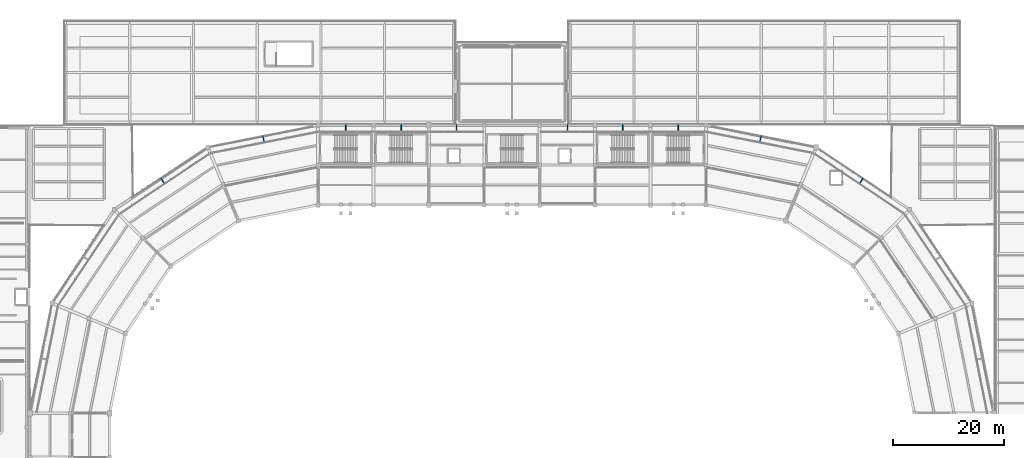
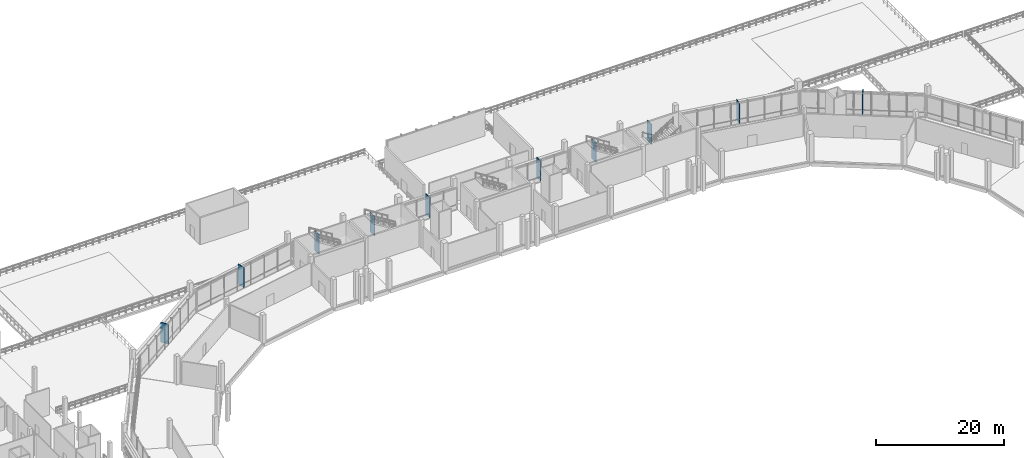
# One storey, part 86 of 111: 10 discrete accessories.
"""IFC4 building model written with IfcOpenShell, lengths in metres."""

from ifc_helpers import new_model, si_unit, direction, frame, origin, origin_2d, place, context, subcontext, project, spatial, rectangle, extrude, material, type_object, element, save


model = new_model("IFC4")

# Units and contexts
model_context = context("Model", 3, precision=1e-05, world=origin(), true_north=direction((0.0, 1.0)))
body_context = subcontext(model_context, "Body", "Model", "MODEL_VIEW")
ifc_project = project(units=[si_unit("LENGTHUNIT", "METRE"), si_unit("AREAUNIT", "SQUARE_METRE"), si_unit("VOLUMEUNIT", "CUBIC_METRE"), si_unit("PLANEANGLEUNIT", "RADIAN"), si_unit("MASSUNIT", "GRAM", prefix="KILO")], contexts=[model_context])

# Site, building, storey
site_placement = place(None, origin())
site = spatial("IfcSite", under=ifc_project, at=site_placement, CompositionType="ELEMENT")
building_placement = place(site_placement, origin())
building = spatial("IfcBuilding", under=site, at=building_placement, Name="Candeia Ridge Stadium", CompositionType="ELEMENT")
storey_placement = place(building_placement, frame((0.0, 0.0, 16.199951171875)))
storey = spatial("IfcBuildingStorey", under=building, at=storey_placement, Name="L03", CompositionType="ELEMENT", Elevation=16.199951171875)

# Discrete accessories
ifc_material = material(Name="Steel ASTM A572 Grade 50", Category="steel")
discrete_accessory_type = type_object("IfcDiscreteAccessoryType", Name="Solar Rib Outrigger Bracket BRK1", PredefinedType="BRACKET", material=ifc_material)
discrete_accessory_1_placement = place(storey_placement, frame((136.0, 146.39990234375, 0.2001953125), z_axis=(0.0, 0.0, 1.0), x_axis=(0.0, 1.0, 0.0)))
element("IfcDiscreteAccessory", 1, at=discrete_accessory_1_placement, inside=storey, type_object=discrete_accessory_type, Name="Solar rib steel outrigger bracket L03 bay 01", PredefinedType="BRACKET", context=body_context, shape_type="SweptSolid", body=[
    extrude(rectangle(XDim=1.35009765625, YDim=0.1201171875, at=origin_2d()), origin(), (0.0, 0.0, 1.0), 3.804931640625),
])
discrete_accessory_2_placement = place(storey_placement, frame((126.0, 146.39990234375, 0.2001953125), z_axis=(0.0, 0.0, 1.0), x_axis=(0.0, 1.0, 0.0)))
element("IfcDiscreteAccessory", 2, at=discrete_accessory_2_placement, inside=storey, type_object=discrete_accessory_type, Name="Solar rib steel outrigger bracket L03 bay 02", PredefinedType="BRACKET", context=body_context, shape_type="SweptSolid", body=[
    extrude(rectangle(XDim=1.35009765625, YDim=0.1201171875, at=origin_2d()), origin(), (0.0, 0.0, 1.0), 3.844970703125),
])
discrete_accessory_3_placement = place(storey_placement, frame((116.0, 146.39990234375, 0.2001953125), z_axis=(0.0, 0.0, 1.0), x_axis=(0.0, 1.0, 0.0)))
element("IfcDiscreteAccessory", 3, at=discrete_accessory_3_placement, inside=storey, type_object=discrete_accessory_type, Name="Solar rib steel outrigger bracket L03 bay 03", PredefinedType="BRACKET", context=body_context, shape_type="SweptSolid", body=[
    extrude(rectangle(XDim=1.35009765625, YDim=0.1201171875, at=origin_2d()), origin(), (0.0, 0.0, 1.0), 3.804931640625),
])
discrete_accessory_4_placement = place(storey_placement, frame((96.0, 146.39990234375, 0.2001953125), z_axis=(0.0, 0.0, 1.0), x_axis=(0.0, 1.0, 0.0)))
element("IfcDiscreteAccessory", 4, at=discrete_accessory_4_placement, inside=storey, type_object=discrete_accessory_type, Name="Solar rib steel outrigger bracket L03 bay 05", PredefinedType="BRACKET", context=body_context, shape_type="SweptSolid", body=[
    extrude(rectangle(XDim=1.35009765625, YDim=0.1201171875, at=origin_2d()), origin(), (0.0, 0.0, 1.0), 3.844970703125),
])
for number, where, z_axis, x_axis, name in (
    (5, (86.0, 146.39990234375, 0.2001953125), (0.0, 0.0, 1.0), (0.0, 1.0, 0.0), "Solar rib steel outrigger bracket L03 bay 06"),
    (6, (76.0, 146.39990234375, 0.2001953125), (0.0, 0.0, 1.0), (0.0, 1.0, 0.0), "Solar rib steel outrigger bracket L03 bay 07"),
):
    element("IfcDiscreteAccessory", number, at=place(storey_placement, frame(where, z_axis=z_axis, x_axis=x_axis)), inside=storey, type_object=discrete_accessory_type, Name=name, PredefinedType="BRACKET", context=body_context, shape_type="SweptSolid", body=[
        extrude(rectangle(XDim=1.35009765625, YDim=0.1201171875, at=origin_2d()), origin(), (0.0, 0.0, 1.0), 3.804931640625),
    ])
discrete_accessory_5_placement = place(storey_placement, frame((61.1650390625, 144.443603515625, 0.2001953125), z_axis=(0.0, 0.0, 1.0), x_axis=(-0.19509022785, 0.980785299134, 0.0)))
element("IfcDiscreteAccessory", 7, at=discrete_accessory_5_placement, inside=storey, type_object=discrete_accessory_type, Name="Solar rib steel outrigger bracket L03 bay 08", PredefinedType="BRACKET", context=body_context, shape_type="SweptSolid", body=[
    extrude(rectangle(XDim=1.35009765625, YDim=0.1201171875, at=origin_2d()), origin(), (0.0, 0.0, 1.0), 3.844970703125),
])
discrete_accessory_6_placement = place(storey_placement, frame((42.992431640625, 136.916259765625, 0.2001953125), z_axis=(0.0, 0.0, 1.0), x_axis=(-0.555570172084, 0.831469653018, 0.0)))
element("IfcDiscreteAccessory", 8, at=discrete_accessory_6_placement, inside=storey, type_object=discrete_accessory_type, Name="Solar rib steel outrigger bracket L03 bay 09", PredefinedType="BRACKET", context=body_context, shape_type="SweptSolid", body=[
    extrude(rectangle(XDim=1.35009765625, YDim=0.1201171875, at=origin_2d()), origin(), (0.0, 0.0, 1.0), 3.804931640625),
])
discrete_accessory_7_placement = place(storey_placement, frame((169.007568359375, 136.916259765625, 0.2001953125), z_axis=(0.0, 0.0, 1.0), x_axis=(0.555570172084, 0.831469653018, 0.0)))
element("IfcDiscreteAccessory", 9, at=discrete_accessory_7_placement, inside=storey, type_object=discrete_accessory_type, Name="Solar rib steel outrigger bracket L03 bay 35", PredefinedType="BRACKET", context=body_context, shape_type="SweptSolid", body=[
    extrude(rectangle(XDim=1.35009765625, YDim=0.1201171875, at=origin_2d()), origin(), (0.0, 0.0, 1.0), 3.844970703125),
])
discrete_accessory_8_placement = place(storey_placement, frame((150.8349609375, 144.443603515625, 0.2001953125), z_axis=(0.0, 0.0, 1.0), x_axis=(0.19509022785, 0.980785299134, 0.0)))
element("IfcDiscreteAccessory", 10, at=discrete_accessory_8_placement, inside=storey, type_object=discrete_accessory_type, Name="Solar rib steel outrigger bracket L03 bay 36", PredefinedType="BRACKET", context=body_context, shape_type="SweptSolid", body=[
    extrude(rectangle(XDim=1.35009765625, YDim=0.1201171875, at=origin_2d()), origin(), (0.0, 0.0, 1.0), 3.804931640625),
])

save(model, "model.ifc")
